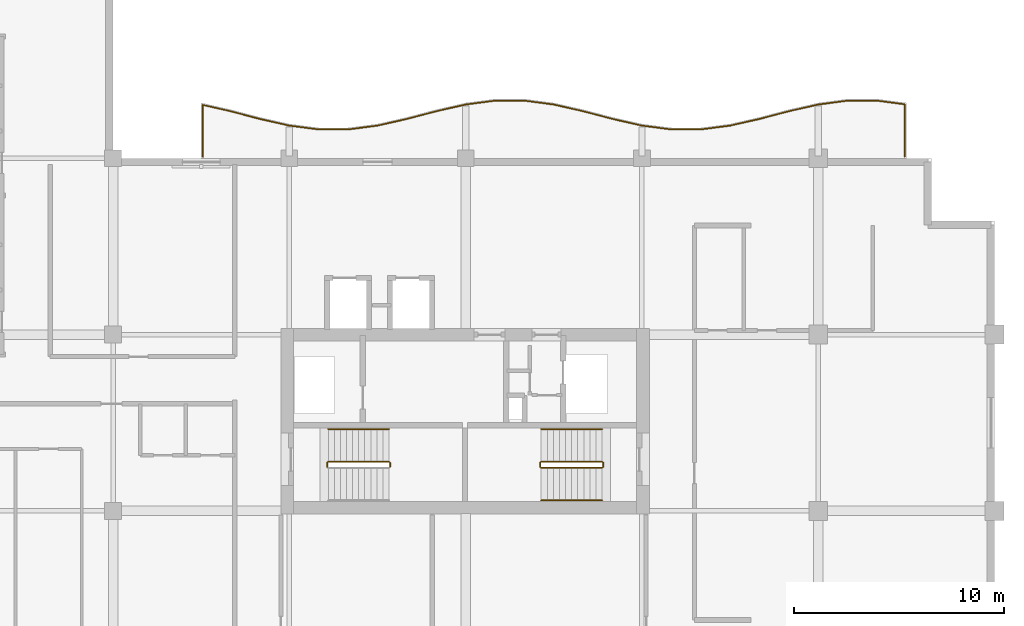
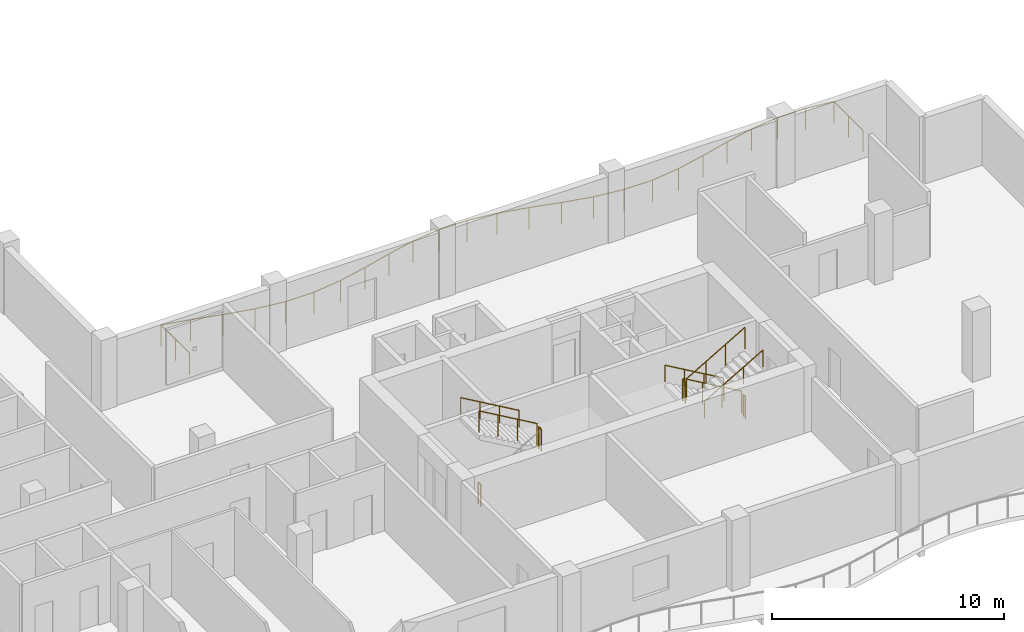
# One storey, part 11 of 12: 11 railings.
"""IFC4 building model written with IfcOpenShell, lengths in metres."""

from ifc_helpers import new_model, si_unit, direction, frame, origin, origin_2d, place, context, subcontext, project, spatial, circle, extrude, material, type_object, element, save


model = new_model("IFC4")

# Units and contexts
model_context = context("Model", 3, precision=1e-05, world=origin(), true_north=direction((0.0, 1.0)))
body_context = subcontext(model_context, "Body", "Model", "MODEL_VIEW")
ifc_project = project(units=[si_unit("LENGTHUNIT", "METRE"), si_unit("AREAUNIT", "SQUARE_METRE"), si_unit("VOLUMEUNIT", "CUBIC_METRE"), si_unit("PLANEANGLEUNIT", "RADIAN"), si_unit("MASSUNIT", "GRAM", prefix="KILO")], contexts=[model_context])

# Site, building, storey
site_placement = place(None, origin())
site = spatial("IfcSite", under=ifc_project, at=site_placement, CompositionType="ELEMENT")
building_placement = place(site_placement, origin())
building = spatial("IfcBuilding", under=site, at=building_placement, Name="Koriwani Terraces Tower", CompositionType="ELEMENT")
storey_placement = place(building_placement, frame((0.0, 0.0, 263.800048828125)))
storey = spatial("IfcBuildingStorey", under=building, at=storey_placement, Name="L65", CompositionType="ELEMENT", Elevation=263.800048828125)

# Railings
ifc_material = material(Name="Steel ASTM A572 Grade 50", Category="steel")
railing_type_1 = type_object("IfcRailingType", Name="GUARD_BALUSTRADE_1150", PredefinedType="BALUSTRADE", material=ifc_material)
railing_1_placement = place(storey_placement, frame((71.320068359375, 33.679931640625, 0.0)))
element("IfcRailing", 1, at=railing_1_placement, inside=storey, type_object=railing_type_1, Name="L65 Balcony Perimeter Safety Balustrade (NE)", PredefinedType="BALUSTRADE", context=body_context, shape_type="SweptSolid", body=[
    extrude(circle(Radius=0.02392578125, at=origin_2d()), frame((0.0, 0.0, 1.1259765625), z_axis=(0.0, 1.0, 0.0), x_axis=(-1.0, 0.0, 0.0)), (0.0, 0.0, 1.0), 2.491943359375),
    extrude(circle(Radius=0.02392578125, at=origin_2d()), frame((0.0, 2.491943359375, 1.1259765625), z_axis=(-0.991506441664, 0.130057587779, 0.0), x_axis=(-0.130057587779, -0.991506441664, 0.0)), (0.0, 0.0, 1.0), 1.33642578125),
    extrude(circle(Radius=0.02392578125, at=origin_2d()), frame((-1.3251953125, 2.665771484375, 1.1259765625), z_axis=(-1.0, 0.0, 0.0), x_axis=(0.0, -1.0, 0.0)), (0.0, 0.0, 1.0), 1.3896484375),
    extrude(circle(Radius=0.02392578125, at=origin_2d()), frame((-2.71484375, 2.665771484375, 1.1259765625), z_axis=(-0.991493340479, -0.130157426935, 0.0), x_axis=(0.130157426935, -0.991493340479, 0.0)), (0.0, 0.0, 1.0), 1.403076171875),
    extrude(circle(Radius=0.02392578125, at=origin_2d()), frame((-4.10595703125, 2.483154296875, 1.1259765625), z_axis=(-0.975156320387, -0.221517834068, 0.0), x_axis=(0.221517834068, -0.975156320387, 0.0)), (0.0, 0.0, 1.0), 1.4306640625),
    extrude(circle(Radius=0.02392578125, at=origin_2d()), frame((-5.5009765625, 2.166259765625, 1.1259765625), z_axis=(-0.967207664387, -0.253986877518, 0.0), x_axis=(0.253986877518, -0.967207664387, 0.0)), (0.0, 0.0, 1.0), 1.447509765625),
    extrude(circle(Radius=0.02392578125, at=origin_2d()), frame((-6.901123046875, 1.798583984375, 1.1259765625), z_axis=(-0.975122866469, -0.221665052023, 0.0), x_axis=(0.221665052023, -0.975122866469, 0.0)), (0.0, 0.0, 1.0), 1.440673828125),
    extrude(circle(Radius=0.02392578125, at=origin_2d()), frame((-8.305908203125, 1.479248046875, 1.1259765625), z_axis=(-0.991528403605, -0.12989004906, 0.0), x_axis=(0.12989004906, -0.991528403605, 0.0)), (0.0, 0.0, 1.0), 1.4208984375),
    extrude(circle(Radius=0.02392578125, at=origin_2d()), frame((-9.71484375, 1.294677734375, 1.1259765625), z_axis=(-1.0, 0.0, 0.0), x_axis=(0.0, -1.0, 0.0)), (0.0, 0.0, 1.0), 1.410400390625),
    extrude(circle(Radius=0.02392578125, at=origin_2d()), frame((-11.125244140625, 1.294677734375, 1.1259765625), z_axis=(-0.991528403605, 0.12989004906, 0.0), x_axis=(-0.12989004906, -0.991528403605, 0.0)), (0.0, 0.0, 1.0), 1.4208984375),
    extrude(circle(Radius=0.02392578125, at=origin_2d()), frame((-12.5341796875, 1.479248046875, 1.1259765625), z_axis=(-0.975122866469, 0.221665052023, 0.0), x_axis=(-0.221665052023, -0.975122866469, 0.0)), (0.0, 0.0, 1.0), 1.440673828125),
    extrude(circle(Radius=0.02392578125, at=origin_2d()), frame((-13.93896484375, 1.798583984375, 1.1259765625), z_axis=(-0.967207664387, 0.253986877518, 0.0), x_axis=(-0.253986877518, -0.967207664387, 0.0)), (0.0, 0.0, 1.0), 1.447509765625),
    extrude(circle(Radius=0.02392578125, at=origin_2d()), frame((-15.339111328125, 2.166259765625, 1.1259765625), z_axis=(-0.975156320387, 0.221517834068, 0.0), x_axis=(-0.221517834068, -0.975156320387, 0.0)), (0.0, 0.0, 1.0), 1.4306640625),
    extrude(circle(Radius=0.02392578125, at=origin_2d()), frame((-16.734130859375, 2.483154296875, 1.1259765625), z_axis=(-0.991493340479, 0.130157426935, 0.0), x_axis=(-0.130157426935, -0.991493340479, 0.0)), (0.0, 0.0, 1.0), 1.403076171875),
    extrude(circle(Radius=0.02392578125, at=origin_2d()), frame((-18.125244140625, 2.665771484375, 1.1259765625), z_axis=(-1.0, 0.0, 0.0), x_axis=(0.0, -1.0, 0.0)), (0.0, 0.0, 1.0), 1.3896484375),
    extrude(circle(Radius=0.02392578125, at=origin_2d()), frame((-19.514892578125, 2.665771484375, 1.1259765625), z_axis=(-0.991493340479, -0.130157426935, 0.0), x_axis=(0.130157426935, -0.991493340479, 0.0)), (0.0, 0.0, 1.0), 1.403076171875),
    extrude(circle(Radius=0.02392578125, at=origin_2d()), frame((-20.906005859375, 2.483154296875, 1.1259765625), z_axis=(-0.975156320387, -0.221517834068, 0.0), x_axis=(0.221517834068, -0.975156320387, 0.0)), (0.0, 0.0, 1.0), 1.4306640625),
    extrude(circle(Radius=0.02392578125, at=origin_2d()), frame((-22.301025390625, 2.166259765625, 1.1259765625), z_axis=(-0.967207664387, -0.253986877518, 0.0), x_axis=(0.253986877518, -0.967207664387, 0.0)), (0.0, 0.0, 1.0), 1.447509765625),
    extrude(circle(Radius=0.02392578125, at=origin_2d()), frame((-23.701171875, 1.798583984375, 1.1259765625), z_axis=(-0.975122866469, -0.221665052023, 0.0), x_axis=(0.221665052023, -0.975122866469, 0.0)), (0.0, 0.0, 1.0), 1.440673828125),
    extrude(circle(Radius=0.02392578125, at=origin_2d()), frame((-25.10595703125, 1.479248046875, 1.1259765625), z_axis=(-0.991528403605, -0.12989004906, 0.0), x_axis=(0.12989004906, -0.991528403605, 0.0)), (0.0, 0.0, 1.0), 1.4208984375),
    extrude(circle(Radius=0.02392578125, at=origin_2d()), frame((-26.514892578125, 1.294677734375, 1.1259765625), z_axis=(-1.0, 0.0, 0.0), x_axis=(0.0, -1.0, 0.0)), (0.0, 0.0, 1.0), 1.410400390625),
    extrude(circle(Radius=0.02392578125, at=origin_2d()), frame((-27.92529296875, 1.294677734375, 1.1259765625), z_axis=(-0.991528403605, 0.12989004906, 0.0), x_axis=(-0.12989004906, -0.991528403605, 0.0)), (0.0, 0.0, 1.0), 1.4208984375),
    extrude(circle(Radius=0.02392578125, at=origin_2d()), frame((-29.334228515625, 1.479248046875, 1.1259765625), z_axis=(-0.975122866469, 0.221665052023, 0.0), x_axis=(-0.221665052023, -0.975122866469, 0.0)), (0.0, 0.0, 1.0), 1.440673828125),
    extrude(circle(Radius=0.02392578125, at=origin_2d()), frame((-30.739013671875, 1.798583984375, 1.1259765625), z_axis=(-0.967207664387, 0.253986877518, 0.0), x_axis=(-0.253986877518, -0.967207664387, 0.0)), (0.0, 0.0, 1.0), 1.447509765625),
    extrude(circle(Radius=0.02392578125, at=origin_2d()), frame((-32.13916015625, 2.166259765625, 1.1259765625), z_axis=(-0.97513824805, 0.221597376316, 0.0), x_axis=(-0.221597376316, -0.97513824805, 0.0)), (0.0, 0.0, 1.0), 1.334228515625),
    extrude(circle(Radius=0.02392578125, at=origin_2d()), frame((-33.440185546875, 2.4619140625, 1.1259765625), z_axis=(0.0, -1.0, 0.0), x_axis=(1.0, 0.0, 0.0)), (0.0, 0.0, 1.0), 2.4619140625),
    extrude(circle(Radius=0.02099609375, at=origin_2d()), origin(), (0.0, 0.0, 1.0), 1.101806640625),
    extrude(circle(Radius=0.02099609375, at=origin_2d()), frame((0.0, 1.24609375, 0.0)), (0.0, 0.0, 1.0), 1.101806640625),
    extrude(circle(Radius=0.02099609375, at=origin_2d()), frame((0.0, 2.491943359375, 0.0)), (0.0, 0.0, 1.0), 1.101806640625),
    extrude(circle(Radius=0.02099609375, at=origin_2d()), frame((-1.3251953125, 2.665771484375, 0.0)), (0.0, 0.0, 1.0), 1.101806640625),
    extrude(circle(Radius=0.02099609375, at=origin_2d()), frame((-2.71484375, 2.665771484375, 0.0)), (0.0, 0.0, 1.0), 1.101806640625),
    extrude(circle(Radius=0.02099609375, at=origin_2d()), frame((-4.10595703125, 2.483154296875, 0.0)), (0.0, 0.0, 1.0), 1.101806640625),
    extrude(circle(Radius=0.02099609375, at=origin_2d()), frame((-5.5009765625, 2.166259765625, 0.0)), (0.0, 0.0, 1.0), 1.101806640625),
    extrude(circle(Radius=0.02099609375, at=origin_2d()), frame((-6.901123046875, 1.798583984375, 0.0)), (0.0, 0.0, 1.0), 1.101806640625),
    extrude(circle(Radius=0.02099609375, at=origin_2d()), frame((-8.305908203125, 1.479248046875, 0.0)), (0.0, 0.0, 1.0), 1.101806640625),
    extrude(circle(Radius=0.02099609375, at=origin_2d()), frame((-9.71484375, 1.294677734375, 0.0)), (0.0, 0.0, 1.0), 1.101806640625),
    extrude(circle(Radius=0.02099609375, at=origin_2d()), frame((-11.125244140625, 1.294677734375, 0.0)), (0.0, 0.0, 1.0), 1.101806640625),
    extrude(circle(Radius=0.02099609375, at=origin_2d()), frame((-12.5341796875, 1.479248046875, 0.0)), (0.0, 0.0, 1.0), 1.101806640625),
    extrude(circle(Radius=0.02099609375, at=origin_2d()), frame((-13.93896484375, 1.798583984375, 0.0)), (0.0, 0.0, 1.0), 1.101806640625),
    extrude(circle(Radius=0.02099609375, at=origin_2d()), frame((-15.339111328125, 2.166259765625, 0.0)), (0.0, 0.0, 1.0), 1.101806640625),
    extrude(circle(Radius=0.02099609375, at=origin_2d()), frame((-16.734130859375, 2.483154296875, 0.0)), (0.0, 0.0, 1.0), 1.101806640625),
    extrude(circle(Radius=0.02099609375, at=origin_2d()), frame((-18.125244140625, 2.665771484375, 0.0)), (0.0, 0.0, 1.0), 1.101806640625),
    extrude(circle(Radius=0.02099609375, at=origin_2d()), frame((-19.514892578125, 2.665771484375, 0.0)), (0.0, 0.0, 1.0), 1.101806640625),
    extrude(circle(Radius=0.02099609375, at=origin_2d()), frame((-20.906005859375, 2.483154296875, 0.0)), (0.0, 0.0, 1.0), 1.101806640625),
    extrude(circle(Radius=0.02099609375, at=origin_2d()), frame((-22.301025390625, 2.166259765625, 0.0)), (0.0, 0.0, 1.0), 1.101806640625),
    extrude(circle(Radius=0.02099609375, at=origin_2d()), frame((-23.701171875, 1.798583984375, 0.0)), (0.0, 0.0, 1.0), 1.101806640625),
    extrude(circle(Radius=0.02099609375, at=origin_2d()), frame((-25.10595703125, 1.479248046875, 0.0)), (0.0, 0.0, 1.0), 1.101806640625),
    extrude(circle(Radius=0.02099609375, at=origin_2d()), frame((-26.514892578125, 1.294677734375, 0.0)), (0.0, 0.0, 1.0), 1.101806640625),
    extrude(circle(Radius=0.02099609375, at=origin_2d()), frame((-27.92529296875, 1.294677734375, 0.0)), (0.0, 0.0, 1.0), 1.101806640625),
    extrude(circle(Radius=0.02099609375, at=origin_2d()), frame((-29.334228515625, 1.479248046875, 0.0)), (0.0, 0.0, 1.0), 1.101806640625),
    extrude(circle(Radius=0.02099609375, at=origin_2d()), frame((-30.739013671875, 1.798583984375, 0.0)), (0.0, 0.0, 1.0), 1.101806640625),
    extrude(circle(Radius=0.02099609375, at=origin_2d()), frame((-32.13916015625, 2.166259765625, 0.0)), (0.0, 0.0, 1.0), 1.101806640625),
    extrude(circle(Radius=0.02099609375, at=origin_2d()), frame((-33.440185546875, 2.4619140625, 0.0)), (0.0, 0.0, 1.0), 1.101806640625),
    extrude(circle(Radius=0.02099609375, at=origin_2d()), frame((-33.440185546875, 1.23095703125, 0.0)), (0.0, 0.0, 1.0), 1.101806640625),
    extrude(circle(Radius=0.02099609375, at=origin_2d()), frame((-33.440185546875, 0.0, 0.0)), (0.0, 0.0, 1.0), 1.101806640625),
])
railing_type_2 = type_object("IfcRailingType", Name="GUARD_STAIR_WELL_1120", PredefinedType="GUARDRAIL", material=ifc_material)
railing_2_placement = place(storey_placement, frame((46.800048828125, 18.89990234375, 1.849853515625)))
element("IfcRailing", 2, at=railing_2_placement, inside=storey, type_object=railing_type_2, Name="L65 ST-E1 stair guard 2", PredefinedType="GUARDRAIL", context=body_context, shape_type="SweptSolid", body=[
    extrude(circle(Radius=0.02392578125, at=origin_2d()), frame((0.0, 0.0, 1.1259765625), z_axis=(0.0, 1.0, 0.0), x_axis=(-1.0, 0.0, 0.0)), (0.0, 0.0, 1.0), 0.2001953125),
    extrude(circle(Radius=0.02099609375, at=origin_2d()), origin(), (0.0, 0.0, 1.0), 1.101806640625),
    extrude(circle(Radius=0.02099609375, at=origin_2d()), frame((0.0, 0.2001953125, 0.0)), (0.0, 0.0, 1.0), 1.101806640625),
])
railing_3_placement = place(storey_placement, frame((46.75, 19.14990234375, 2.01806640625)))
element("IfcRailing", 3, at=railing_3_placement, inside=storey, type_object=railing_type_2, Name="L65 ST-E1 stair guard 3", PredefinedType="GUARDRAIL", context=body_context, shape_type="SweptSolid", body=[
    extrude(circle(Radius=0.02392578125, at=origin_2d()), frame((0.0, 0.0, 1.1259765625), z_axis=(-0.865038774852, 0.0, 0.501705010941), x_axis=(0.0, -1.0, 0.0)), (0.0, 0.0, 1.0), 3.352294921875),
    extrude(circle(Radius=0.02099609375, at=origin_2d()), origin(), (0.0, 0.0, 1.0), 1.101806640625),
    extrude(circle(Radius=0.02099609375, at=origin_2d()), frame((-0.966552734375, 0.0, 0.560546875)), (0.0, 0.0, 1.0), 1.101806640625),
    extrude(circle(Radius=0.02099609375, at=origin_2d()), frame((-1.933349609375, 0.0, 1.121337890625)), (0.0, 0.0, 1.0), 1.101806640625),
    extrude(circle(Radius=0.02099609375, at=origin_2d()), frame((-2.89990234375, 0.0, 1.681884765625)), (0.0, 0.0, 1.0), 1.101806640625),
])
railing_4_placement = place(storey_placement, frame((43.800048828125, 18.89990234375, 0.0)))
element("IfcRailing", 4, at=railing_4_placement, inside=storey, type_object=railing_type_2, Name="L65 ST-E1 stair guard 4", PredefinedType="GUARDRAIL", context=body_context, shape_type="SweptSolid", body=[
    extrude(circle(Radius=0.02392578125, at=origin_2d()), frame((0.0, 0.0, 1.1259765625), z_axis=(0.0, 1.0, 0.0), x_axis=(-1.0, 0.0, 0.0)), (0.0, 0.0, 1.0), 0.2001953125),
    extrude(circle(Radius=0.02099609375, at=origin_2d()), origin(), (0.0, 0.0, 1.0), 1.101806640625),
    extrude(circle(Radius=0.02099609375, at=origin_2d()), frame((0.0, 0.2001953125, 0.0)), (0.0, 0.0, 1.0), 1.101806640625),
])
railing_5_placement = place(storey_placement, frame((56.89990234375, 19.14990234375, 0.168212890625)))
element("IfcRailing", 5, at=railing_5_placement, inside=storey, type_object=railing_type_2, Name="L65 ST-E2 stair guard 1", PredefinedType="GUARDRAIL", context=body_context, shape_type="SweptSolid", body=[
    extrude(circle(Radius=0.02392578125, at=origin_2d()), frame((0.0, 0.0, 1.1259765625), z_axis=(-0.86507038078, 0.0, 0.501650512107), x_axis=(0.0, -1.0, 0.0)), (0.0, 0.0, 1.0), 3.352294921875),
    extrude(circle(Radius=0.02099609375, at=origin_2d()), origin(), (0.0, 0.0, 1.0), 1.101806640625),
    extrude(circle(Radius=0.02099609375, at=origin_2d()), frame((-0.966552734375, 0.0, 0.560546875)), (0.0, 0.0, 1.0), 1.101806640625),
    extrude(circle(Radius=0.02099609375, at=origin_2d()), frame((-1.933349609375, 0.0, 1.12109375)), (0.0, 0.0, 1.0), 1.101806640625),
    extrude(circle(Radius=0.02099609375, at=origin_2d()), frame((-2.89990234375, 0.0, 1.681640625)), (0.0, 0.0, 1.0), 1.101806640625),
])
railing_6_placement = place(storey_placement, frame((53.949951171875, 19.10009765625, 1.849853515625)))
element("IfcRailing", 6, at=railing_6_placement, inside=storey, type_object=railing_type_2, Name="L65 ST-E2 stair guard 2", PredefinedType="GUARDRAIL", context=body_context, shape_type="SweptSolid", body=[
    extrude(circle(Radius=0.02392578125, at=origin_2d()), frame((0.0, 0.0, 1.1259765625), z_axis=(0.0, -1.0, 0.0), x_axis=(1.0, 0.0, 0.0)), (0.0, 0.0, 1.0), 0.2001953125),
    extrude(circle(Radius=0.02099609375, at=origin_2d()), origin(), (0.0, 0.0, 1.0), 1.101806640625),
    extrude(circle(Radius=0.02099609375, at=origin_2d()), frame((0.0, -0.2001953125, 0.0)), (0.0, 0.0, 1.0), 1.101806640625),
])
railing_7_placement = place(storey_placement, frame((54.0, 18.85009765625, 2.01806640625)))
element("IfcRailing", 7, at=railing_7_placement, inside=storey, type_object=railing_type_2, Name="L65 ST-E2 stair guard 3", PredefinedType="GUARDRAIL", context=body_context, shape_type="SweptSolid", body=[
    extrude(circle(Radius=0.02392578125, at=origin_2d()), frame((0.0, 0.0, 1.1259765625), z_axis=(0.865038774852, 0.0, 0.501705010941), x_axis=(0.0, 1.0, 0.0)), (0.0, 0.0, 1.0), 3.352294921875),
    extrude(circle(Radius=0.02099609375, at=origin_2d()), origin(), (0.0, 0.0, 1.0), 1.101806640625),
    extrude(circle(Radius=0.02099609375, at=origin_2d()), frame((0.966552734375, 0.0, 0.560546875)), (0.0, 0.0, 1.0), 1.101806640625),
    extrude(circle(Radius=0.02099609375, at=origin_2d()), frame((1.933349609375, 0.0, 1.121337890625)), (0.0, 0.0, 1.0), 1.101806640625),
    extrude(circle(Radius=0.02099609375, at=origin_2d()), frame((2.89990234375, 0.0, 1.681884765625)), (0.0, 0.0, 1.0), 1.101806640625),
])
railing_8_placement = place(storey_placement, frame((56.949951171875, 19.10009765625, 0.0)))
element("IfcRailing", 8, at=railing_8_placement, inside=storey, type_object=railing_type_2, Name="L65 ST-E2 stair guard 4", PredefinedType="GUARDRAIL", context=body_context, shape_type="SweptSolid", body=[
    extrude(circle(Radius=0.02392578125, at=origin_2d()), frame((0.0, 0.0, 1.1259765625), z_axis=(0.0, -1.0, 0.0), x_axis=(1.0, 0.0, 0.0)), (0.0, 0.0, 1.0), 0.2001953125),
    extrude(circle(Radius=0.02099609375, at=origin_2d()), origin(), (0.0, 0.0, 1.0), 1.101806640625),
    extrude(circle(Radius=0.02099609375, at=origin_2d()), frame((0.0, -0.2001953125, 0.0)), (0.0, 0.0, 1.0), 1.101806640625),
])
railing_type_3 = type_object("IfcRailingType", Name="HANDRAIL_STAIR_920", PredefinedType="HANDRAIL", material=ifc_material)
railing_9_placement = place(storey_placement, frame((46.75, 20.699951171875, 2.01806640625)))
element("IfcRailing", 9, at=railing_9_placement, inside=storey, type_object=railing_type_3, Name="L65 ST-E1 stair handrail 2", PredefinedType="HANDRAIL", context=body_context, shape_type="SweptSolid", body=[
    extrude(circle(Radius=0.02392578125, at=origin_2d()), frame((0.0, 0.0, 0.8759765625), z_axis=(-0.865038774852, 0.0, 0.501705010941), x_axis=(0.0, -1.0, 0.0)), (0.0, 0.0, 1.0), 3.352294921875),
    extrude(circle(Radius=0.02099609375, at=origin_2d()), origin(), (0.0, 0.0, 1.0), 0.851806640625),
    extrude(circle(Radius=0.02099609375, at=origin_2d()), frame((-0.966552734375, 0.0, 0.560546875)), (0.0, 0.0, 1.0), 0.851806640625),
    extrude(circle(Radius=0.02099609375, at=origin_2d()), frame((-1.933349609375, 0.0, 1.121337890625)), (0.0, 0.0, 1.0), 0.851806640625),
    extrude(circle(Radius=0.02099609375, at=origin_2d()), frame((-2.89990234375, 0.0, 1.681884765625)), (0.0, 0.0, 1.0), 0.851806640625),
])
railing_10_placement = place(storey_placement, frame((56.89990234375, 20.699951171875, 0.168212890625)))
element("IfcRailing", 10, at=railing_10_placement, inside=storey, type_object=railing_type_3, Name="L65 ST-E2 stair handrail 1", PredefinedType="HANDRAIL", context=body_context, shape_type="SweptSolid", body=[
    extrude(circle(Radius=0.02392578125, at=origin_2d()), frame((0.0, 0.0, 0.8759765625), z_axis=(-0.86507038078, 0.0, 0.501650512107), x_axis=(0.0, -1.0, 0.0)), (0.0, 0.0, 1.0), 3.352294921875),
    extrude(circle(Radius=0.02099609375, at=origin_2d()), origin(), (0.0, 0.0, 1.0), 0.851806640625),
    extrude(circle(Radius=0.02099609375, at=origin_2d()), frame((-0.966552734375, 0.0, 0.560546875)), (0.0, 0.0, 1.0), 0.851806640625),
    extrude(circle(Radius=0.02099609375, at=origin_2d()), frame((-1.933349609375, 0.0, 1.12109375)), (0.0, 0.0, 1.0), 0.851806640625),
    extrude(circle(Radius=0.02099609375, at=origin_2d()), frame((-2.89990234375, 0.0, 1.681640625)), (0.0, 0.0, 1.0), 0.851806640625),
])
railing_11_placement = place(storey_placement, frame((54.0, 17.300048828125, 2.01806640625)))
element("IfcRailing", 11, at=railing_11_placement, inside=storey, type_object=railing_type_3, Name="L65 ST-E2 stair handrail 2", PredefinedType="HANDRAIL", context=body_context, shape_type="SweptSolid", body=[
    extrude(circle(Radius=0.02392578125, at=origin_2d()), frame((0.0, 0.0, 0.8759765625), z_axis=(0.865038774852, 0.0, 0.501705010941), x_axis=(0.0, 1.0, 0.0)), (0.0, 0.0, 1.0), 3.352294921875),
    extrude(circle(Radius=0.02099609375, at=origin_2d()), origin(), (0.0, 0.0, 1.0), 0.851806640625),
    extrude(circle(Radius=0.02099609375, at=origin_2d()), frame((0.966552734375, 0.0, 0.560546875)), (0.0, 0.0, 1.0), 0.851806640625),
    extrude(circle(Radius=0.02099609375, at=origin_2d()), frame((1.933349609375, 0.0, 1.121337890625)), (0.0, 0.0, 1.0), 0.851806640625),
    extrude(circle(Radius=0.02099609375, at=origin_2d()), frame((2.89990234375, 0.0, 1.681884765625)), (0.0, 0.0, 1.0), 0.851806640625),
])

save(model, "model.ifc")
